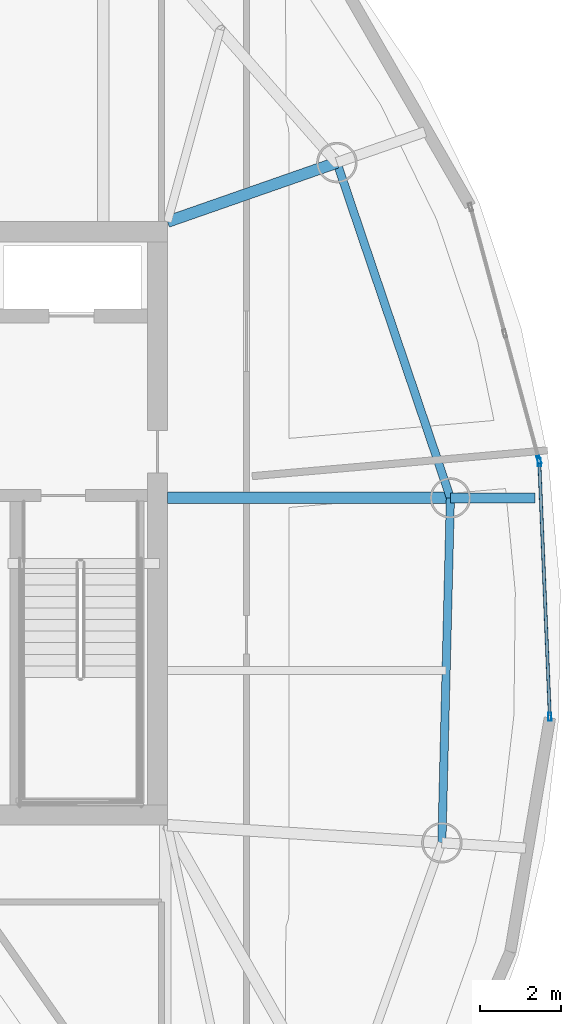
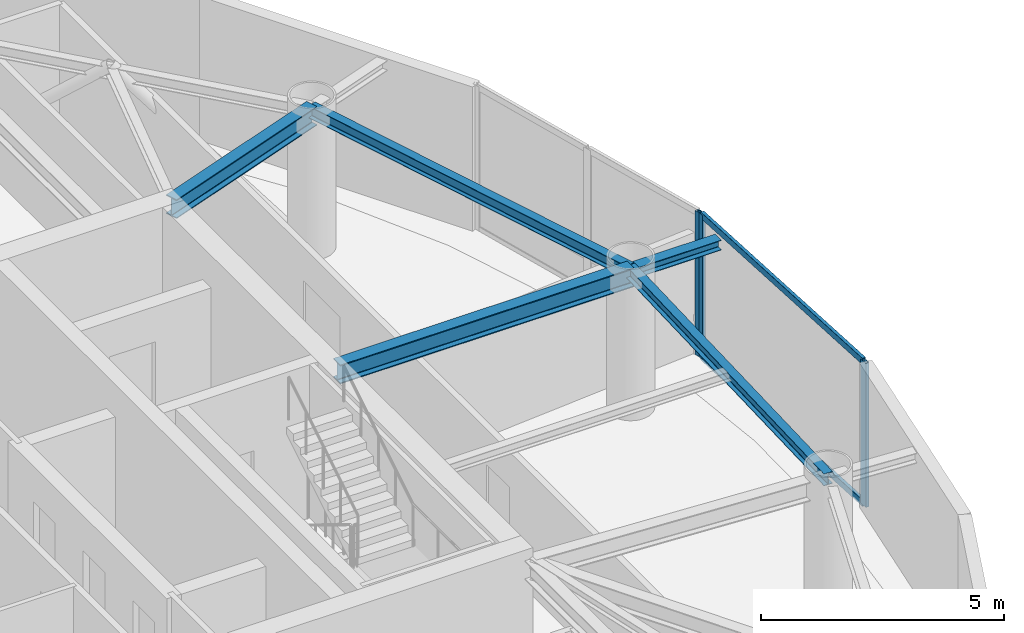
# One storey, part 9 of 20: 5 beams, 5 members, 2 elements without a shape of their own.
"""IFC4 building model written with IfcOpenShell, lengths in metres."""

from ifc_helpers import new_model, si_unit, direction, frame, origin, origin_2d, place, context, subcontext, project, spatial, hollow_rectangle, i_section, extrude, material, layer, layer_set, material_profile, profile_set, type_object, element, aggregate, save


model = new_model("IFC4")

# Units and contexts
model_context = context("Model", 3, precision=1e-05, world=origin(), true_north=direction((0.0, 1.0)))
body_context = subcontext(model_context, "Body", "Model", "MODEL_VIEW")
ifc_project = project(units=[si_unit("LENGTHUNIT", "METRE"), si_unit("AREAUNIT", "SQUARE_METRE"), si_unit("VOLUMEUNIT", "CUBIC_METRE"), si_unit("PLANEANGLEUNIT", "RADIAN"), si_unit("MASSUNIT", "GRAM", prefix="KILO")], contexts=[model_context])

# Site, building, storey
site_placement = place(None, origin())
site = spatial("IfcSite", under=ifc_project, at=site_placement, CompositionType="ELEMENT")
building_placement = place(site_placement, origin())
building = spatial("IfcBuilding", under=site, at=building_placement, Name="Bramvorn Convention Spire", CompositionType="ELEMENT")
storey_placement = place(building_placement, frame((0.0, 0.0, 242.050048828125)))
storey = spatial("IfcBuildingStorey", under=building, at=storey_placement, Name="L61", CompositionType="ELEMENT", Elevation=242.050048828125)

# Beams
ifc_material_1 = material(Name="Steel CSA G40.21 Grade 350 (350W)", Category="steel")
ifc_material_profile_1 = material_profile(ifc_material_1, i_section(OverallWidth=0.25390625, OverallDepth=0.2529296875, WebThickness=0.008544921875, FlangeThickness=0.01416015625, FilletRadius=0.011962890625, at=origin_2d()))
ifc_profile_set_1 = profile_set([ifc_material_profile_1], Name="Steel CSA G40.21 Grade 350 (350W) - W250X73")
beam_type_1 = type_object("IfcBeamType", Name="BM-W250X73", PredefinedType="BEAM", material=ifc_profile_set_1)
beam_1_placement = place(storey_placement, frame((56.234619140625, 26.62939453125, 3.45849609375), z_axis=(1.0, 0.0, 0.0), x_axis=(0.0, 1.0, 0.0)))
element("IfcBeam", 1, at=beam_1_placement, inside=storey, type_object=beam_type_1, Name="L61 slab-edge cantilever tip beam MC04", PredefinedType="BEAM", context=body_context, shape_type="SweptSolid", body=[
    extrude(i_section(OverallWidth=0.25390625, OverallDepth=0.2529296875, WebThickness=0.008544921875, FlangeThickness=0.01416015625, FilletRadius=0.011962890625, at=origin_2d()), origin(), (0.0, 0.0, 1.0), 2.083984375),
])
ifc_material_profile_2 = material_profile(ifc_material_1, i_section(OverallWidth=0.202880859375, OverallDepth=0.302978515625, WebThickness=0.007568359375, FlangeThickness=0.01318359375, FilletRadius=0.013916015625, at=origin_2d()))
ifc_profile_set_2 = profile_set([ifc_material_profile_2], Name="Steel CSA G40.21 Grade 350 (350W) - W310X60")
beam_type_2 = type_object("IfcBeamType", Name="BM-W310X60", PredefinedType="JOIST", material=ifc_profile_set_2)
beam_2_placement = place(storey_placement, frame((56.023681640625, 18.116455078125, 3.473388671875), z_axis=(0.024770853371, 0.999693155335, 0.0), x_axis=(-0.999693155335, 0.024770853371, 0.0)))
element("IfcBeam", 2, at=beam_2_placement, inside=storey, type_object=beam_type_2, Name="L61 mega-column ring beam 03", PredefinedType="JOIST", context=body_context, shape_type="SweptSolid", body=[
    extrude(i_section(OverallWidth=0.202880859375, OverallDepth=0.302978515625, WebThickness=0.007568359375, FlangeThickness=0.01318359375, FilletRadius=0.013916015625, at=origin_2d()), origin(), (0.0, 0.0, 1.0), 8.515625),
])
beam_3_placement = place(storey_placement, frame((56.234619140625, 26.62939453125, 3.473388671875), z_axis=(-0.320531023763, 0.947238018032, 0.0), x_axis=(-0.947238018032, -0.320531023763, 0.0)))
element("IfcBeam", 3, at=beam_3_placement, inside=storey, type_object=beam_type_2, Name="L61 mega-column ring beam 04", PredefinedType="JOIST", context=body_context, shape_type="SweptSolid", body=[
    extrude(i_section(OverallWidth=0.202880859375, OverallDepth=0.302978515625, WebThickness=0.007568359375, FlangeThickness=0.01318359375, FilletRadius=0.013916015625, at=origin_2d()), origin(), (0.0, 0.0, 1.0), 8.74169921875),
])
ifc_material_profile_3 = material_profile(ifc_material_1, i_section(OverallWidth=0.283935546875, OverallDepth=0.47607421875, WebThickness=0.014892578125, FlangeThickness=0.02392578125, FilletRadius=0.01806640625, at=origin_2d()))
ifc_profile_set_3 = profile_set([ifc_material_profile_3], Name="Steel CSA G40.21 Grade 350 (350W) - W460X158")
beam_type_3 = type_object("IfcBeamType", Name="BM-W460X158", PredefinedType="SPANDREL", material=ifc_profile_set_3)
beam_4_placement = place(storey_placement, frame((49.25, 26.62939453125, 3.386962890625), z_axis=(1.0, 0.0, 0.0), x_axis=(0.0, 1.0, 0.0)))
element("IfcBeam", 4, at=beam_4_placement, inside=storey, type_object=beam_type_3, Name="L61 radial floor girder MC04", PredefinedType="SPANDREL", context=body_context, shape_type="SweptSolid", body=[
    extrude(i_section(OverallWidth=0.283935546875, OverallDepth=0.47607421875, WebThickness=0.014892578125, FlangeThickness=0.02392578125, FilletRadius=0.01806640625, at=origin_2d()), origin(), (0.0, 0.0, 1.0), 6.984619140625),
])
beam_5_placement = place(storey_placement, frame((49.25, 33.449951171875, 3.386962890625), z_axis=(0.944136391877, 0.329554962843, 0.0), x_axis=(-0.329554962843, 0.944136391877, 0.0)))
element("IfcBeam", 5, at=beam_5_placement, inside=storey, type_object=beam_type_3, Name="L61 radial floor girder MC05", PredefinedType="SPANDREL", context=body_context, shape_type="SweptSolid", body=[
    extrude(i_section(OverallWidth=0.283935546875, OverallDepth=0.47607421875, WebThickness=0.014892578125, FlangeThickness=0.02392578125, FilletRadius=0.01806640625, at=origin_2d()), origin(), (0.0, 0.0, 1.0), 4.43017578125),
])

# Curtain wall, members
ifc_material_2 = material(Name="Anodised Bronze Unitised Curtain Wall", Category="aluminium")
ifc_layer = layer(ifc_material_2, 0.179931640625)
ifc_layer_set = layer_set([ifc_layer], Name="Anodised Bronze Unitised Curtain Wall - CW-OFF-FRIT")
curtain_wall_type = type_object("IfcCurtainWallType", Name="CW-OFF-FRIT", PredefinedType="USERDEFINED", material=ifc_layer_set)
curtain_wall_1_placement = place(storey_placement, origin())
curtain_wall_1 = element("IfcCurtainWall", 6, at=curtain_wall_1_placement, inside=storey, type_object=curtain_wall_type, Name="L61 fritted glass curtain wall 04", ObjectType="UNITISED CURTAIN WALL", PredefinedType="USERDEFINED")
ifc_material_3 = material(Name="Anodised Bronze Aluminium 6063-T6", Category="aluminium")
ifc_material_profile_4 = material_profile(ifc_material_3, hollow_rectangle(XDim=0.080078125, YDim=0.199951171875, WallThickness=0.00390625, InnerFilletRadius=0.0009765625, OuterFilletRadius=0.00390625, at=origin_2d()))
ifc_profile_set_4 = profile_set([ifc_material_profile_4], Name="Anodised Bronze Aluminium 6063-T6 - CWM80X200")
member_type_1 = type_object("IfcMemberType", Name="CW-MUL-180", PredefinedType="MULLION", material=ifc_profile_set_4)
member_1_placement = place(storey_placement, frame((58.4296875, 27.5087890625, 0.0), z_axis=(0.0, 0.0, 1.0), x_axis=(0.999143909785, 0.041369645144, 0.0)))
member_1 = element("IfcMember", 7, at=member_1_placement, type_object=member_type_1, Name="CW3 mullion 1", PredefinedType="MULLION", context=body_context, shape_type="SweptSolid", body=[
    extrude(hollow_rectangle(XDim=0.080078125, YDim=0.199951171875, WallThickness=0.00390625, InnerFilletRadius=0.0009765625, OuterFilletRadius=0.00390625, at=origin_2d()), origin(), (0.0, 0.0, 1.0), 3.625),
])
member_2_placement = place(storey_placement, frame((58.689697265625, 21.22900390625, 0.0), z_axis=(0.0, 0.0, 1.0), x_axis=(0.999143909785, 0.041369645144, 0.0)))
member_2 = element("IfcMember", 8, at=member_2_placement, type_object=member_type_1, Name="CW3 mullion 2", PredefinedType="MULLION", context=body_context, shape_type="SweptSolid", body=[
    extrude(hollow_rectangle(XDim=0.080078125, YDim=0.199951171875, WallThickness=0.00390625, InnerFilletRadius=0.0009765625, OuterFilletRadius=0.00390625, at=origin_2d()), origin(), (0.0, 0.0, 1.0), 3.625),
])

# Curtain wall, member
curtain_wall_2_placement = place(storey_placement, origin())
curtain_wall_2 = element("IfcCurtainWall", 9, at=curtain_wall_2_placement, inside=storey, type_object=curtain_wall_type, Name="L61 fritted glass curtain wall 05", ObjectType="UNITISED CURTAIN WALL", PredefinedType="USERDEFINED")
member_3_placement = place(storey_placement, frame((58.420654296875, 27.56787109375, 0.0), z_axis=(0.0, 0.0, 1.0), x_axis=(0.965277180686, 0.261227801827, 0.0)))
member_3 = element("IfcMember", 10, at=member_3_placement, type_object=member_type_1, Name="CW3 mullion 3", PredefinedType="MULLION", context=body_context, shape_type="SweptSolid", body=[
    extrude(hollow_rectangle(XDim=0.080078125, YDim=0.199951171875, WallThickness=0.00390625, InnerFilletRadius=0.0009765625, OuterFilletRadius=0.00390625, at=origin_2d()), origin(), (0.0, 0.0, 1.0), 3.625),
])
aggregate(curtain_wall_2, [member_3])

# Member
ifc_material_profile_5 = material_profile(ifc_material_3, hollow_rectangle(XDim=0.080078125, YDim=0.159912109375, WallThickness=0.00390625, InnerFilletRadius=0.0009765625, OuterFilletRadius=0.00390625, at=origin_2d()))
ifc_profile_set_5 = profile_set([ifc_material_profile_5], Name="Anodised Bronze Aluminium 6063-T6 - CWT80X160")
member_type_2 = type_object("IfcMemberType", Name="CW-TRN-150", PredefinedType="USERDEFINED", material=ifc_profile_set_5)
member_4_placement = place(storey_placement, frame((58.430908203125, 27.478759765625, 0.030029296875), z_axis=(0.041376061568, -0.999143644092, 0.0), x_axis=(0.999143644092, 0.041376061568, 0.0)))
member_4 = element("IfcMember", 11, at=member_4_placement, type_object=member_type_2, Name="CW3 transom 1.1", ObjectType="TRANSOM", PredefinedType="USERDEFINED", context=body_context, shape_type="SweptSolid", body=[
    extrude(hollow_rectangle(XDim=0.080078125, YDim=0.159912109375, WallThickness=0.00390625, InnerFilletRadius=0.0009765625, OuterFilletRadius=0.00390625, at=origin_2d()), origin(), (0.0, 0.0, 1.0), 6.22509765625),
])

member_5_placement = place(storey_placement, frame((58.430908203125, 27.478759765625, 3.594970703125), z_axis=(0.041376061568, -0.999143644092, 0.0), x_axis=(0.999143644092, 0.041376061568, 0.0)))
member_5 = element("IfcMember", 12, at=member_5_placement, type_object=member_type_2, Name="CW3 transom 1.2", ObjectType="TRANSOM", PredefinedType="USERDEFINED", context=body_context, shape_type="SweptSolid", body=[
    extrude(hollow_rectangle(XDim=0.080078125, YDim=0.159912109375, WallThickness=0.00390625, InnerFilletRadius=0.0009765625, OuterFilletRadius=0.00390625, at=origin_2d()), origin(), (0.0, 0.0, 1.0), 6.22509765625),
])

aggregate(curtain_wall_1, [member_1, member_2, member_4, member_5])

save(model, "model.ifc")
